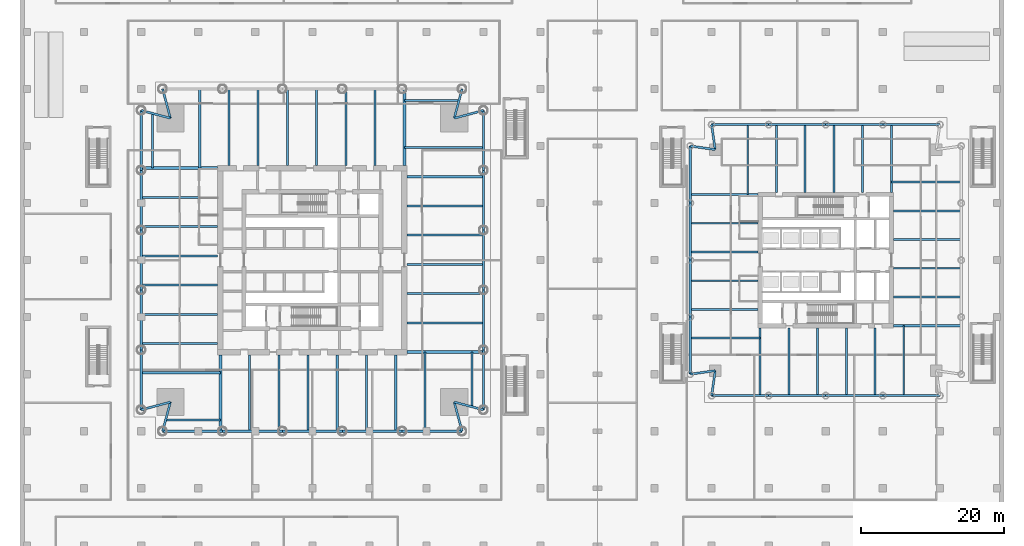
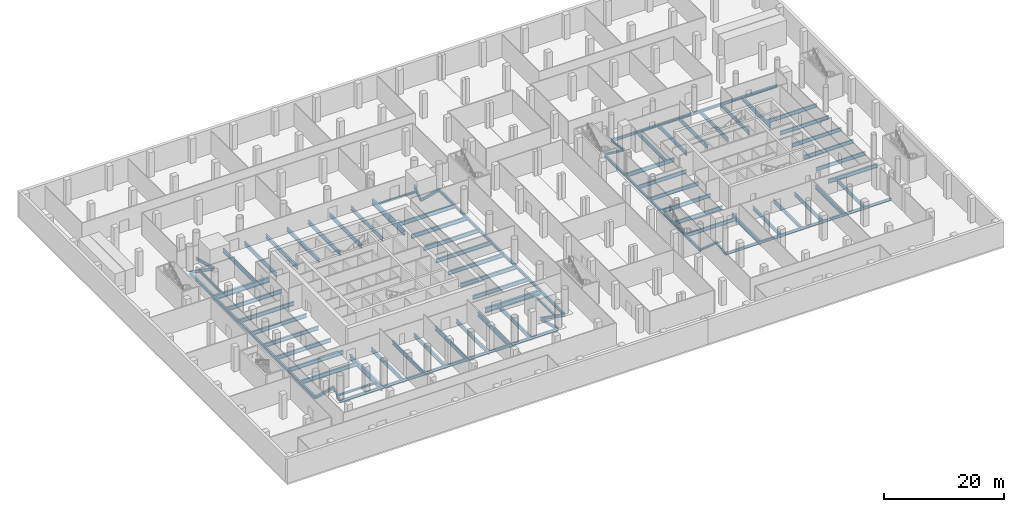
# One storey, part 5 of 22: 99 beams.
"""IFC4 building model written with IfcOpenShell, lengths in metres."""

from ifc_helpers import new_model, si_unit, direction, frame, origin, origin_2d, place, context, subcontext, project, spatial, i_section, extrude, material, material_profile, profile_set, type_object, element, save


model = new_model("IFC4")

# Units and contexts
model_context = context("Model", 3, precision=1e-05, world=origin(), true_north=direction((0.0, 1.0)))
body_context = subcontext(model_context, "Body", "Model", "MODEL_VIEW")
ifc_project = project(units=[si_unit("LENGTHUNIT", "METRE"), si_unit("AREAUNIT", "SQUARE_METRE"), si_unit("VOLUMEUNIT", "CUBIC_METRE"), si_unit("PLANEANGLEUNIT", "RADIAN"), si_unit("MASSUNIT", "GRAM", prefix="KILO")], contexts=[model_context])

# Site, building, storey
site_placement = place(None, origin())
site = spatial("IfcSite", under=ifc_project, at=site_placement, CompositionType="ELEMENT")
building_placement = place(site_placement, origin())
building = spatial("IfcBuilding", under=site, at=building_placement, Name="Ostroluk Exchange", CompositionType="ELEMENT")
storey_placement = place(building_placement, frame((0.0, 0.0, -5.0)))
storey = spatial("IfcBuildingStorey", under=building, at=storey_placement, Name="B1", CompositionType="ELEMENT", Elevation=-5.0)

# Beams
ifc_material_1 = material(Name="Steel S355", Category="steel")
ifc_material_profile_1 = material_profile(ifc_material_1, i_section(OverallWidth=0.300048828125, OverallDepth=0.39990234375, WebThickness=0.013427734375, FlangeThickness=0.02392578125, FilletRadius=0.027099609375, at=origin_2d()), Name="HEB 400")
ifc_profile_set_1 = profile_set([ifc_material_profile_1], Name="Steel S355")
beam_type_1 = type_object("IfcBeamType", Name="Corner edge beam HEB 400", PredefinedType="SPANDREL", material=ifc_profile_set_1)
for number, where, z_axis, x_axis, name in (
    (1, (101.5, 61.5, -0.5), (-0.141421356237, 0.989949493661, 0.0), (-0.989949493661, -0.141421356237, 0.0), "T2 north corner edge beam a"),
    (2, (101.5, 61.5, -0.5), (-0.989949493661, 0.141421356237, 0.0), (-0.141421356237, -0.989949493661, 0.0), "T2 north corner edge beam b"),
    (3, (101.5, 30.5, -0.5), (-0.989949493661, -0.141421356237, 0.0), (0.141421356237, -0.989949493661, 0.0), "T2 west corner edge beam a"),
    (4, (101.5, 30.5, -0.5), (-0.141421356237, -0.989949493661, 0.0), (0.989949493661, -0.141421356237, 0.0), "T2 west corner edge beam b"),
):
    element("IfcBeam", number, at=place(storey_placement, frame(where, z_axis=z_axis, x_axis=x_axis)), inside=storey, type_object=beam_type_1, Name=name, PredefinedType="SPANDREL", context=body_context, shape_type="SweptSolid", body=[
        extrude(i_section(OverallWidth=0.300048828125, OverallDepth=0.39990234375, WebThickness=0.013427734375, FlangeThickness=0.02392578125, FilletRadius=0.027099609375, at=origin_2d()), origin(), (0.0, 0.0, 1.0), 3.53564453125),
    ])
ifc_material_2 = material(Name="Steel S355", Category="steel")
ifc_material_profile_2 = material_profile(ifc_material_2, i_section(OverallWidth=0.300048828125, OverallDepth=0.550048828125, WebThickness=0.014892578125, FlangeThickness=0.029052734375, FilletRadius=0.027099609375, at=origin_2d()), Name="HEB 550")
ifc_profile_set_2 = profile_set([ifc_material_profile_2], Name="Steel S355")
beam_type_2 = type_object("IfcBeamType", Name="Corner edge beam HEB 550", PredefinedType="SPANDREL", material=ifc_profile_set_2)
for number, where, z_axis, x_axis, name in (
    (5, (64.89990234375, 65.89990234375, -0.574951171875), (0.965838624319, 0.259144268261, 0.0), (-0.259144268261, 0.965838624319, 0.0), "T1 east corner edge beam a"),
    (6, (64.89990234375, 65.89990234375, -0.574951171875), (0.259144268261, 0.965838624319, 0.0), (-0.965838624319, 0.259144268261, 0.0), "T1 east corner edge beam b"),
    (7, (25.10009765625, 65.89990234375, -0.574951171875), (-0.259144268261, 0.965838624319, 0.0), (-0.965838624319, -0.259144268261, 0.0), "T1 north corner edge beam a"),
    (8, (25.10009765625, 65.89990234375, -0.574951171875), (-0.965838624319, 0.259144268261, 0.0), (-0.259144268261, -0.965838624319, 0.0), "T1 north corner edge beam b"),
    (9, (25.10009765625, 26.10009765625, -0.574951171875), (-0.965838624319, -0.259144268261, 0.0), (0.259144268261, -0.965838624319, 0.0), "T1 west corner edge beam a"),
    (10, (25.10009765625, 26.10009765625, -0.574951171875), (-0.259144268261, -0.965838624319, 0.0), (0.965838624319, -0.259144268261, 0.0), "T1 west corner edge beam b"),
    (11, (64.89990234375, 26.10009765625, -0.574951171875), (0.259144268261, -0.965838624319, 0.0), (0.965838624319, 0.259144268261, 0.0), "T1 south corner edge beam a"),
    (12, (64.89990234375, 26.10009765625, -0.574951171875), (0.965838624319, -0.259144268261, 0.0), (0.259144268261, 0.965838624319, 0.0), "T1 south corner edge beam b"),
):
    element("IfcBeam", number, at=place(storey_placement, frame(where, z_axis=z_axis, x_axis=x_axis)), inside=storey, type_object=beam_type_2, Name=name, PredefinedType="SPANDREL", context=body_context, shape_type="SweptSolid", body=[
        extrude(i_section(OverallWidth=0.300048828125, OverallDepth=0.550048828125, WebThickness=0.014892578125, FlangeThickness=0.029052734375, FilletRadius=0.027099609375, at=origin_2d()), origin(), (0.0, 0.0, 1.0), 4.2451171875),
    ])
ifc_material_3 = material(Name="Steel S355", Category="steel")
ifc_material_profile_3 = material_profile(ifc_material_3, i_section(OverallWidth=0.300048828125, OverallDepth=0.39990234375, WebThickness=0.013427734375, FlangeThickness=0.02392578125, FilletRadius=0.027099609375, at=origin_2d()), Name="HEB 400")
ifc_profile_set_3 = profile_set([ifc_material_profile_3], Name="Steel S355")
beam_type_3 = type_object("IfcBeamType", Name="Floor beam HEB 400", PredefinedType="BEAM", material=ifc_profile_set_3)
for number, where, z_axis, x_axis, name in (
    (13, (57.89990234375, 68.39990234375, -0.5), (1.0, 0.0, 0.0), (0.0, 1.0, 0.0), "T1 east floor beam 8"),
    (14, (22.60009765625, 58.89990234375, -0.5), (0.0, 1.0, 0.0), (-1.0, 0.0, 0.0), "T1 north floor beam 8"),
    (15, (32.10009765625, 23.60009765625, -0.5), (-1.0, 0.0, 0.0), (0.0, -1.0, 0.0), "T1 west floor beam 8"),
    (16, (67.39990234375, 33.10009765625, -0.5), (0.0, -1.0, 0.0), (1.0, 0.0, 0.0), "T1 south floor beam 8"),
):
    element("IfcBeam", number, at=place(storey_placement, frame(where, z_axis=z_axis, x_axis=x_axis)), inside=storey, type_object=beam_type_3, Name=name, PredefinedType="BEAM", context=body_context, shape_type="SweptSolid", body=[
        extrude(i_section(OverallWidth=0.300048828125, OverallDepth=0.39990234375, WebThickness=0.013427734375, FlangeThickness=0.02392578125, FilletRadius=0.027099609375, at=origin_2d()), origin(), (0.0, 0.0, 1.0), 7.6708984375),
    ])
ifc_material_4 = material(Name="Steel S355", Category="steel")
ifc_material_profile_4 = material_profile(ifc_material_4, i_section(OverallWidth=0.300048828125, OverallDepth=0.800048828125, WebThickness=0.017578125, FlangeThickness=0.032958984375, FilletRadius=0.030029296875, at=origin_2d()), Name="HEB 800")
ifc_profile_set_4 = profile_set([ifc_material_profile_4], Name="Steel S355")
beam_type_4 = type_object("IfcBeamType", Name="Floor beam HEB 800", PredefinedType="BEAM", material=ifc_profile_set_4)
for number, where, z_axis, x_axis, name in (
    (17, (58.300048828125, 37.199951171875, -0.699951171875), (1.0, 0.0, 0.0), (0.0, 1.0, 0.0), "T1 east floor beam 1"),
    (18, (58.300048828125, 41.300048828125, -0.699951171875), (1.0, 0.0, 0.0), (0.0, 1.0, 0.0), "T1 east floor beam 2"),
    (19, (58.300048828125, 45.39990234375, -0.699951171875), (1.0, 0.0, 0.0), (0.0, 1.0, 0.0), "T1 east floor beam 3"),
    (20, (58.300048828125, 49.5, -0.699951171875), (1.0, 0.0, 0.0), (0.0, 1.0, 0.0), "T1 east floor beam 4"),
    (21, (58.300048828125, 53.60009765625, -0.699951171875), (1.0, 0.0, 0.0), (0.0, 1.0, 0.0), "T1 east floor beam 5"),
    (22, (53.800048828125, 59.300048828125, -0.699951171875), (0.0, 1.0, 0.0), (-1.0, 0.0, 0.0), "T1 north floor beam 1"),
    (23, (49.699951171875, 59.300048828125, -0.699951171875), (0.0, 1.0, 0.0), (-1.0, 0.0, 0.0), "T1 north floor beam 2"),
    (24, (45.60009765625, 59.300048828125, -0.699951171875), (0.0, 1.0, 0.0), (-1.0, 0.0, 0.0), "T1 north floor beam 3"),
    (25, (41.5, 59.300048828125, -0.699951171875), (0.0, 1.0, 0.0), (-1.0, 0.0, 0.0), "T1 north floor beam 4"),
    (26, (37.39990234375, 59.300048828125, -0.699951171875), (0.0, 1.0, 0.0), (-1.0, 0.0, 0.0), "T1 north floor beam 5"),
    (27, (31.699951171875, 54.800048828125, -0.699951171875), (-1.0, 0.0, 0.0), (0.0, -1.0, 0.0), "T1 west floor beam 1"),
    (28, (31.699951171875, 50.699951171875, -0.699951171875), (-1.0, 0.0, 0.0), (0.0, -1.0, 0.0), "T1 west floor beam 2"),
    (29, (31.699951171875, 46.60009765625, -0.699951171875), (-1.0, 0.0, 0.0), (0.0, -1.0, 0.0), "T1 west floor beam 3"),
    (30, (31.699951171875, 42.5, -0.699951171875), (-1.0, 0.0, 0.0), (0.0, -1.0, 0.0), "T1 west floor beam 4"),
    (31, (31.699951171875, 38.39990234375, -0.699951171875), (-1.0, 0.0, 0.0), (0.0, -1.0, 0.0), "T1 west floor beam 5"),
    (32, (36.199951171875, 32.699951171875, -0.699951171875), (0.0, -1.0, 0.0), (1.0, 0.0, 0.0), "T1 south floor beam 1"),
    (33, (40.300048828125, 32.699951171875, -0.699951171875), (0.0, -1.0, 0.0), (1.0, 0.0, 0.0), "T1 south floor beam 2"),
    (34, (44.39990234375, 32.699951171875, -0.699951171875), (0.0, -1.0, 0.0), (1.0, 0.0, 0.0), "T1 south floor beam 3"),
    (35, (48.5, 32.699951171875, -0.699951171875), (0.0, -1.0, 0.0), (1.0, 0.0, 0.0), "T1 south floor beam 4"),
    (36, (52.60009765625, 32.699951171875, -0.699951171875), (0.0, -1.0, 0.0), (1.0, 0.0, 0.0), "T1 south floor beam 5"),
):
    element("IfcBeam", number, at=place(storey_placement, frame(where, z_axis=z_axis, x_axis=x_axis)), inside=storey, type_object=beam_type_4, Name=name, PredefinedType="BEAM", context=body_context, shape_type="SweptSolid", body=[
        extrude(i_section(OverallWidth=0.300048828125, OverallDepth=0.800048828125, WebThickness=0.017578125, FlangeThickness=0.032958984375, FilletRadius=0.030029296875, at=origin_2d()), origin(), (0.0, 0.0, 1.0), 10.699951171875),
    ])
ifc_material_5 = material(Name="Steel S355", Category="steel")
ifc_material_profile_5 = material_profile(ifc_material_5, i_section(OverallWidth=0.302978515625, OverallDepth=0.81396484375, WebThickness=0.02099609375, FlangeThickness=0.0400390625, FilletRadius=0.030029296875, at=origin_2d()), Name="HEM 800")
ifc_profile_set_5 = profile_set([ifc_material_profile_5], Name="Steel S355")
beam_type_5 = type_object("IfcBeamType", Name="Floor beam HEM 800", PredefinedType="BEAM", material=ifc_profile_set_5)
beam_1_placement = place(storey_placement, frame((58.300048828125, 57.699951171875, -0.70703125), z_axis=(1.0, 0.0, 0.0), x_axis=(0.0, 1.0, 0.0)))
element("IfcBeam", 37, at=beam_1_placement, inside=storey, type_object=beam_type_5, Name="T1 east floor beam 6", PredefinedType="BEAM", context=body_context, shape_type="SweptSolid", body=[
    extrude(i_section(OverallWidth=0.302978515625, OverallDepth=0.81396484375, WebThickness=0.02099609375, FlangeThickness=0.0400390625, FilletRadius=0.030029296875, at=origin_2d()), origin(), (0.0, 0.0, 1.0), 10.699951171875),
])
beam_2_placement = place(storey_placement, frame((57.89990234375, 61.800048828125, -0.70703125), z_axis=(1.0, 0.0, 0.0), x_axis=(0.0, 1.0, 0.0)))
element("IfcBeam", 38, at=beam_2_placement, inside=storey, type_object=beam_type_5, Name="T1 east floor beam 7", PredefinedType="BEAM", context=body_context, shape_type="SweptSolid", body=[
    extrude(i_section(OverallWidth=0.302978515625, OverallDepth=0.81396484375, WebThickness=0.02099609375, FlangeThickness=0.0400390625, FilletRadius=0.030029296875, at=origin_2d()), origin(), (0.0, 0.0, 1.0), 11.10009765625),
])
beam_3_placement = place(storey_placement, frame((33.300048828125, 59.300048828125, -0.70703125), z_axis=(0.0, 1.0, 0.0), x_axis=(-1.0, 0.0, 0.0)))
element("IfcBeam", 39, at=beam_3_placement, inside=storey, type_object=beam_type_5, Name="T1 north floor beam 6", PredefinedType="BEAM", context=body_context, shape_type="SweptSolid", body=[
    extrude(i_section(OverallWidth=0.302978515625, OverallDepth=0.81396484375, WebThickness=0.02099609375, FlangeThickness=0.0400390625, FilletRadius=0.030029296875, at=origin_2d()), origin(), (0.0, 0.0, 1.0), 10.699951171875),
])
beam_4_placement = place(storey_placement, frame((29.199951171875, 58.89990234375, -0.70703125), z_axis=(0.0, 1.0, 0.0), x_axis=(-1.0, 0.0, 0.0)))
element("IfcBeam", 40, at=beam_4_placement, inside=storey, type_object=beam_type_5, Name="T1 north floor beam 7", PredefinedType="BEAM", context=body_context, shape_type="SweptSolid", body=[
    extrude(i_section(OverallWidth=0.302978515625, OverallDepth=0.81396484375, WebThickness=0.02099609375, FlangeThickness=0.0400390625, FilletRadius=0.030029296875, at=origin_2d()), origin(), (0.0, 0.0, 1.0), 11.10009765625),
])
beam_5_placement = place(storey_placement, frame((31.699951171875, 34.300048828125, -0.70703125), z_axis=(-1.0, 0.0, 0.0), x_axis=(0.0, -1.0, 0.0)))
element("IfcBeam", 41, at=beam_5_placement, inside=storey, type_object=beam_type_5, Name="T1 west floor beam 6", PredefinedType="BEAM", context=body_context, shape_type="SweptSolid", body=[
    extrude(i_section(OverallWidth=0.302978515625, OverallDepth=0.81396484375, WebThickness=0.02099609375, FlangeThickness=0.0400390625, FilletRadius=0.030029296875, at=origin_2d()), origin(), (0.0, 0.0, 1.0), 10.699951171875),
])
beam_6_placement = place(storey_placement, frame((32.10009765625, 30.199951171875, -0.70703125), z_axis=(-1.0, 0.0, 0.0), x_axis=(0.0, -1.0, 0.0)))
element("IfcBeam", 42, at=beam_6_placement, inside=storey, type_object=beam_type_5, Name="T1 west floor beam 7", PredefinedType="BEAM", context=body_context, shape_type="SweptSolid", body=[
    extrude(i_section(OverallWidth=0.302978515625, OverallDepth=0.81396484375, WebThickness=0.02099609375, FlangeThickness=0.0400390625, FilletRadius=0.030029296875, at=origin_2d()), origin(), (0.0, 0.0, 1.0), 11.10009765625),
])
beam_7_placement = place(storey_placement, frame((56.699951171875, 32.699951171875, -0.70703125), z_axis=(0.0, -1.0, 0.0), x_axis=(1.0, 0.0, 0.0)))
element("IfcBeam", 43, at=beam_7_placement, inside=storey, type_object=beam_type_5, Name="T1 south floor beam 6", PredefinedType="BEAM", context=body_context, shape_type="SweptSolid", body=[
    extrude(i_section(OverallWidth=0.302978515625, OverallDepth=0.81396484375, WebThickness=0.02099609375, FlangeThickness=0.0400390625, FilletRadius=0.030029296875, at=origin_2d()), origin(), (0.0, 0.0, 1.0), 10.699951171875),
])
beam_8_placement = place(storey_placement, frame((60.800048828125, 33.10009765625, -0.70703125), z_axis=(0.0, -1.0, 0.0), x_axis=(1.0, 0.0, 0.0)))
element("IfcBeam", 44, at=beam_8_placement, inside=storey, type_object=beam_type_5, Name="T1 south floor beam 7", PredefinedType="BEAM", context=body_context, shape_type="SweptSolid", body=[
    extrude(i_section(OverallWidth=0.302978515625, OverallDepth=0.81396484375, WebThickness=0.02099609375, FlangeThickness=0.0400390625, FilletRadius=0.030029296875, at=origin_2d()), origin(), (0.0, 0.0, 1.0), 11.10009765625),
])
ifc_material_6 = material(Name="Steel S355", Category="steel")
ifc_material_profile_6 = material_profile(ifc_material_6, i_section(OverallWidth=0.264892578125, OverallDepth=0.7529296875, WebThickness=0.01318359375, FlangeThickness=0.01708984375, FilletRadius=0.01708984375, at=origin_2d()), Name="IPE 750x147")
ifc_profile_set_6 = profile_set([ifc_material_profile_6], Name="Steel S355")
beam_type_6 = type_object("IfcBeamType", Name="Floor beam IPE 750x147", PredefinedType="BEAM", material=ifc_profile_set_6)
for number, where, z_axis, x_axis, name in (
    (45, (126.5, 40.82861328125, -0.676513671875), (1.0, 0.0, 0.0), (0.0, 1.0, 0.0), "T2 east floor beam 1"),
    (46, (126.5, 44.857177734375, -0.676513671875), (1.0, 0.0, 0.0), (0.0, 1.0, 0.0), "T2 east floor beam 2"),
    (47, (126.5, 48.8857421875, -0.676513671875), (1.0, 0.0, 0.0), (0.0, 1.0, 0.0), "T2 east floor beam 3"),
    (48, (126.5, 52.914306640625, -0.676513671875), (1.0, 0.0, 0.0), (0.0, 1.0, 0.0), "T2 east floor beam 4"),
):
    element("IfcBeam", number, at=place(storey_placement, frame(where, z_axis=z_axis, x_axis=x_axis)), inside=storey, type_object=beam_type_6, Name=name, PredefinedType="BEAM", context=body_context, shape_type="SweptSolid", body=[
        extrude(i_section(OverallWidth=0.264892578125, OverallDepth=0.7529296875, WebThickness=0.01318359375, FlangeThickness=0.01708984375, FilletRadius=0.01708984375, at=origin_2d()), origin(), (0.0, 0.0, 1.0), 9.5),
    ])
beam_9_placement = place(storey_placement, frame((126.199951171875, 56.94287109375, -0.676513671875), z_axis=(1.0, 0.0, 0.0), x_axis=(0.0, 1.0, 0.0)))
element("IfcBeam", 49, at=beam_9_placement, inside=storey, type_object=beam_type_6, Name="T2 east floor beam 5", PredefinedType="BEAM", context=body_context, shape_type="SweptSolid", body=[
    extrude(i_section(OverallWidth=0.264892578125, OverallDepth=0.7529296875, WebThickness=0.01318359375, FlangeThickness=0.01708984375, FilletRadius=0.01708984375, at=origin_2d()), origin(), (0.0, 0.0, 1.0), 9.800048828125),
])
for number, where, z_axis, x_axis, name in (
    (50, (122.17138671875, 55.5, -0.676513671875), (0.0, 1.0, 0.0), (-1.0, 0.0, 0.0), "T2 north floor beam 1"),
    (51, (118.142822265625, 55.5, -0.676513671875), (0.0, 1.0, 0.0), (-1.0, 0.0, 0.0), "T2 north floor beam 2"),
    (52, (114.1142578125, 55.5, -0.676513671875), (0.0, 1.0, 0.0), (-1.0, 0.0, 0.0), "T2 north floor beam 3"),
    (53, (110.085693359375, 55.5, -0.676513671875), (0.0, 1.0, 0.0), (-1.0, 0.0, 0.0), "T2 north floor beam 4"),
):
    element("IfcBeam", number, at=place(storey_placement, frame(where, z_axis=z_axis, x_axis=x_axis)), inside=storey, type_object=beam_type_6, Name=name, PredefinedType="BEAM", context=body_context, shape_type="SweptSolid", body=[
        extrude(i_section(OverallWidth=0.264892578125, OverallDepth=0.7529296875, WebThickness=0.01318359375, FlangeThickness=0.01708984375, FilletRadius=0.01708984375, at=origin_2d()), origin(), (0.0, 0.0, 1.0), 9.5),
    ])
beam_10_placement = place(storey_placement, frame((106.05712890625, 55.199951171875, -0.676513671875), z_axis=(0.0, 1.0, 0.0), x_axis=(-1.0, 0.0, 0.0)))
element("IfcBeam", 54, at=beam_10_placement, inside=storey, type_object=beam_type_6, Name="T2 north floor beam 5", PredefinedType="BEAM", context=body_context, shape_type="SweptSolid", body=[
    extrude(i_section(OverallWidth=0.264892578125, OverallDepth=0.7529296875, WebThickness=0.01318359375, FlangeThickness=0.01708984375, FilletRadius=0.01708984375, at=origin_2d()), origin(), (0.0, 0.0, 1.0), 9.800048828125),
])
for number, where, z_axis, x_axis, name in (
    (55, (107.5, 51.17138671875, -0.676513671875), (-1.0, 0.0, 0.0), (0.0, -1.0, 0.0), "T2 west floor beam 1"),
    (56, (107.5, 47.142822265625, -0.676513671875), (-1.0, 0.0, 0.0), (0.0, -1.0, 0.0), "T2 west floor beam 2"),
    (57, (107.5, 43.1142578125, -0.676513671875), (-1.0, 0.0, 0.0), (0.0, -1.0, 0.0), "T2 west floor beam 3"),
    (58, (107.5, 39.085693359375, -0.676513671875), (-1.0, 0.0, 0.0), (0.0, -1.0, 0.0), "T2 west floor beam 4"),
):
    element("IfcBeam", number, at=place(storey_placement, frame(where, z_axis=z_axis, x_axis=x_axis)), inside=storey, type_object=beam_type_6, Name=name, PredefinedType="BEAM", context=body_context, shape_type="SweptSolid", body=[
        extrude(i_section(OverallWidth=0.264892578125, OverallDepth=0.7529296875, WebThickness=0.01318359375, FlangeThickness=0.01708984375, FilletRadius=0.01708984375, at=origin_2d()), origin(), (0.0, 0.0, 1.0), 9.5),
    ])
beam_11_placement = place(storey_placement, frame((107.800048828125, 35.05712890625, -0.676513671875), z_axis=(-1.0, 0.0, 0.0), x_axis=(0.0, -1.0, 0.0)))
element("IfcBeam", 59, at=beam_11_placement, inside=storey, type_object=beam_type_6, Name="T2 west floor beam 5", PredefinedType="BEAM", context=body_context, shape_type="SweptSolid", body=[
    extrude(i_section(OverallWidth=0.264892578125, OverallDepth=0.7529296875, WebThickness=0.01318359375, FlangeThickness=0.01708984375, FilletRadius=0.01708984375, at=origin_2d()), origin(), (0.0, 0.0, 1.0), 9.800048828125),
])
for number, where, z_axis, x_axis, name in (
    (60, (111.82861328125, 36.5, -0.676513671875), (0.0, -1.0, 0.0), (1.0, 0.0, 0.0), "T2 south floor beam 1"),
    (61, (115.857177734375, 36.5, -0.676513671875), (0.0, -1.0, 0.0), (1.0, 0.0, 0.0), "T2 south floor beam 2"),
    (62, (119.8857421875, 36.5, -0.676513671875), (0.0, -1.0, 0.0), (1.0, 0.0, 0.0), "T2 south floor beam 3"),
    (63, (123.914306640625, 36.5, -0.676513671875), (0.0, -1.0, 0.0), (1.0, 0.0, 0.0), "T2 south floor beam 4"),
):
    element("IfcBeam", number, at=place(storey_placement, frame(where, z_axis=z_axis, x_axis=x_axis)), inside=storey, type_object=beam_type_6, Name=name, PredefinedType="BEAM", context=body_context, shape_type="SweptSolid", body=[
        extrude(i_section(OverallWidth=0.264892578125, OverallDepth=0.7529296875, WebThickness=0.01318359375, FlangeThickness=0.01708984375, FilletRadius=0.01708984375, at=origin_2d()), origin(), (0.0, 0.0, 1.0), 9.5),
    ])
beam_12_placement = place(storey_placement, frame((127.94287109375, 36.800048828125, -0.676513671875), z_axis=(0.0, -1.0, 0.0), x_axis=(1.0, 0.0, 0.0)))
element("IfcBeam", 64, at=beam_12_placement, inside=storey, type_object=beam_type_6, Name="T2 south floor beam 5", PredefinedType="BEAM", context=body_context, shape_type="SweptSolid", body=[
    extrude(i_section(OverallWidth=0.264892578125, OverallDepth=0.7529296875, WebThickness=0.01318359375, FlangeThickness=0.01708984375, FilletRadius=0.01708984375, at=origin_2d()), origin(), (0.0, 0.0, 1.0), 9.800048828125),
])
ifc_material_7 = material(Name="Steel S355", Category="steel")
ifc_material_profile_7 = material_profile(ifc_material_7, i_section(OverallWidth=0.300048828125, OverallDepth=0.800048828125, WebThickness=0.017578125, FlangeThickness=0.032958984375, FilletRadius=0.030029296875, at=origin_2d()), Name="HEB 800")
ifc_profile_set_7 = profile_set([ifc_material_profile_7], Name="Steel S355")
beam_type_7 = type_object("IfcBeamType", Name="Girder HEB 800", PredefinedType="BEAM", material=ifc_profile_set_7)
for number, where, z_axis, x_axis, name in (
    (65, (126.199951171875, 55.5, -0.699951171875), (0.0, 1.0, 0.0), (-1.0, 0.0, 0.0), "T2 east girder"),
    (66, (107.5, 55.199951171875, -0.699951171875), (-1.0, 0.0, 0.0), (0.0, -1.0, 0.0), "T2 north girder"),
    (67, (107.800048828125, 36.5, -0.699951171875), (0.0, -1.0, 0.0), (1.0, 0.0, 0.0), "T2 west girder"),
    (68, (126.5, 36.800048828125, -0.699951171875), (1.0, 0.0, 0.0), (0.0, 1.0, 0.0), "T2 south girder"),
):
    element("IfcBeam", number, at=place(storey_placement, frame(where, z_axis=z_axis, x_axis=x_axis)), inside=storey, type_object=beam_type_7, Name=name, PredefinedType="BEAM", context=body_context, shape_type="SweptSolid", body=[
        extrude(i_section(OverallWidth=0.300048828125, OverallDepth=0.800048828125, WebThickness=0.017578125, FlangeThickness=0.032958984375, FilletRadius=0.030029296875, at=origin_2d()), origin(), (0.0, 0.0, 1.0), 9.5),
    ])
ifc_material_8 = material(Name="Steel S355", Category="steel")
ifc_material_profile_8 = material_profile(ifc_material_8, i_section(OverallWidth=0.402099609375, OverallDepth=1.011962890625, WebThickness=0.035888671875, FlangeThickness=0.055908203125, FilletRadius=0.030029296875, at=origin_2d()), Name="HL 1000x443")
ifc_profile_set_8 = profile_set([ifc_material_profile_8], Name="Steel S355")
beam_type_8 = type_object("IfcBeamType", Name="Girder HL 1000x443", PredefinedType="BEAM", material=ifc_profile_set_8)
for number, where, z_axis, x_axis, name in (
    (69, (57.89990234375, 59.300048828125, -0.805908203125), (0.0, 1.0, 0.0), (-1.0, 0.0, 0.0), "T1 east girder"),
    (70, (31.699951171875, 58.89990234375, -0.805908203125), (-1.0, 0.0, 0.0), (0.0, -1.0, 0.0), "T1 north girder"),
    (71, (32.10009765625, 32.699951171875, -0.805908203125), (0.0, -1.0, 0.0), (1.0, 0.0, 0.0), "T1 west girder"),
    (72, (58.300048828125, 33.10009765625, -0.805908203125), (1.0, 0.0, 0.0), (0.0, 1.0, 0.0), "T1 south girder"),
):
    element("IfcBeam", number, at=place(storey_placement, frame(where, z_axis=z_axis, x_axis=x_axis)), inside=storey, type_object=beam_type_8, Name=name, PredefinedType="BEAM", context=body_context, shape_type="SweptSolid", body=[
        extrude(i_section(OverallWidth=0.402099609375, OverallDepth=1.011962890625, WebThickness=0.035888671875, FlangeThickness=0.055908203125, FilletRadius=0.030029296875, at=origin_2d()), origin(), (0.0, 0.0, 1.0), 10.699951171875),
    ])
ifc_material_9 = material(Name="Steel S355", Category="steel")
ifc_material_profile_9 = material_profile(ifc_material_9, i_section(OverallWidth=0.300048828125, OverallDepth=0.550048828125, WebThickness=0.014892578125, FlangeThickness=0.029052734375, FilletRadius=0.027099609375, at=origin_2d()), Name="HEB 550")
ifc_profile_set_9 = profile_set([ifc_material_profile_9], Name="Steel S355")
beam_type_9 = type_object("IfcBeamType", Name="Moment-connected edge beam HEB 550", PredefinedType="SPANDREL", material=ifc_profile_set_9)
for number, where, z_axis, x_axis, name in (
    (73, (133.0, 65.0, -0.574951171875), (-1.0, 0.0, 0.0), (0.0, -1.0, 0.0), "T2 north edge beam 1"),
    (74, (125.0, 65.0, -0.574951171875), (-1.0, 0.0, 0.0), (0.0, -1.0, 0.0), "T2 north edge beam 2"),
    (75, (117.0, 65.0, -0.574951171875), (-1.0, 0.0, 0.0), (0.0, -1.0, 0.0), "T2 north edge beam 3"),
    (76, (109.0, 65.0, -0.574951171875), (-1.0, 0.0, 0.0), (0.0, -1.0, 0.0), "T2 north edge beam 4"),
    (77, (98.0, 62.0, -0.574951171875), (0.0, -1.0, 0.0), (1.0, 0.0, 0.0), "T2 west edge beam 1"),
    (78, (98.0, 54.0, -0.574951171875), (0.0, -1.0, 0.0), (1.0, 0.0, 0.0), "T2 west edge beam 2"),
    (79, (98.0, 46.0, -0.574951171875), (0.0, -1.0, 0.0), (1.0, 0.0, 0.0), "T2 west edge beam 3"),
    (80, (98.0, 38.0, -0.574951171875), (0.0, -1.0, 0.0), (1.0, 0.0, 0.0), "T2 west edge beam 4"),
    (81, (101.0, 27.0, -0.574951171875), (1.0, 0.0, 0.0), (0.0, 1.0, 0.0), "T2 south edge beam 1"),
    (82, (109.0, 27.0, -0.574951171875), (1.0, 0.0, 0.0), (0.0, 1.0, 0.0), "T2 south edge beam 2"),
    (83, (117.0, 27.0, -0.574951171875), (1.0, 0.0, 0.0), (0.0, 1.0, 0.0), "T2 south edge beam 3"),
    (84, (125.0, 27.0, -0.574951171875), (1.0, 0.0, 0.0), (0.0, 1.0, 0.0), "T2 south edge beam 4"),
):
    element("IfcBeam", number, at=place(storey_placement, frame(where, z_axis=z_axis, x_axis=x_axis)), inside=storey, type_object=beam_type_9, Name=name, PredefinedType="SPANDREL", context=body_context, shape_type="SweptSolid", body=[
        extrude(i_section(OverallWidth=0.300048828125, OverallDepth=0.550048828125, WebThickness=0.014892578125, FlangeThickness=0.029052734375, FilletRadius=0.027099609375, at=origin_2d()), origin(), (0.0, 0.0, 1.0), 8.0),
    ])
ifc_material_10 = material(Name="Steel S355", Category="steel")
ifc_material_profile_10 = material_profile(ifc_material_10, i_section(OverallWidth=0.300048828125, OverallDepth=0.60009765625, WebThickness=0.015380859375, FlangeThickness=0.030029296875, FilletRadius=0.027099609375, at=origin_2d()), Name="HEB 600")
ifc_profile_set_10 = profile_set([ifc_material_profile_10], Name="Steel S355")
beam_type_10 = type_object("IfcBeamType", Name="Moment-connected edge beam HEB 600", PredefinedType="SPANDREL", material=ifc_profile_set_10)
beam_13_placement = place(storey_placement, frame((69.0, 25.0, -0.60009765625), z_axis=(0.0, 1.0, 0.0), x_axis=(-1.0, 0.0, 0.0)))
element("IfcBeam", 85, at=beam_13_placement, inside=storey, type_object=beam_type_10, Name="T1 east edge beam 1", PredefinedType="SPANDREL", context=body_context, shape_type="SweptSolid", body=[
    extrude(i_section(OverallWidth=0.300048828125, OverallDepth=0.60009765625, WebThickness=0.015380859375, FlangeThickness=0.030029296875, FilletRadius=0.027099609375, at=origin_2d()), origin(), (0.0, 0.0, 1.0), 8.39990234375),
])
beam_14_placement = place(storey_placement, frame((69.0, 33.39990234375, -0.60009765625), z_axis=(0.0, 1.0, 0.0), x_axis=(-1.0, 0.0, 0.0)))
element("IfcBeam", 86, at=beam_14_placement, inside=storey, type_object=beam_type_10, Name="T1 east edge beam 2", PredefinedType="SPANDREL", context=body_context, shape_type="SweptSolid", body=[
    extrude(i_section(OverallWidth=0.300048828125, OverallDepth=0.60009765625, WebThickness=0.015380859375, FlangeThickness=0.030029296875, FilletRadius=0.027099609375, at=origin_2d()), origin(), (0.0, 0.0, 1.0), 8.400146484375),
])
beam_15_placement = place(storey_placement, frame((69.0, 41.800048828125, -0.60009765625), z_axis=(0.0, 1.0, 0.0), x_axis=(-1.0, 0.0, 0.0)))
element("IfcBeam", 87, at=beam_15_placement, inside=storey, type_object=beam_type_10, Name="T1 east edge beam 3", PredefinedType="SPANDREL", context=body_context, shape_type="SweptSolid", body=[
    extrude(i_section(OverallWidth=0.300048828125, OverallDepth=0.60009765625, WebThickness=0.015380859375, FlangeThickness=0.030029296875, FilletRadius=0.027099609375, at=origin_2d()), origin(), (0.0, 0.0, 1.0), 8.39990234375),
])
beam_16_placement = place(storey_placement, frame((69.0, 50.199951171875, -0.60009765625), z_axis=(0.0, 1.0, 0.0), x_axis=(-1.0, 0.0, 0.0)))
element("IfcBeam", 88, at=beam_16_placement, inside=storey, type_object=beam_type_10, Name="T1 east edge beam 4", PredefinedType="SPANDREL", context=body_context, shape_type="SweptSolid", body=[
    extrude(i_section(OverallWidth=0.300048828125, OverallDepth=0.60009765625, WebThickness=0.015380859375, FlangeThickness=0.030029296875, FilletRadius=0.027099609375, at=origin_2d()), origin(), (0.0, 0.0, 1.0), 8.400146484375),
])
for number, where, z_axis, x_axis, name in (
    (89, (69.0, 58.60009765625, -0.60009765625), (0.0, 1.0, 0.0), (-1.0, 0.0, 0.0), "T1 east edge beam 5"),
    (90, (21.0, 67.0, -0.60009765625), (0.0, -1.0, 0.0), (1.0, 0.0, 0.0), "T1 west edge beam 1"),
):
    element("IfcBeam", number, at=place(storey_placement, frame(where, z_axis=z_axis, x_axis=x_axis)), inside=storey, type_object=beam_type_10, Name=name, PredefinedType="SPANDREL", context=body_context, shape_type="SweptSolid", body=[
        extrude(i_section(OverallWidth=0.300048828125, OverallDepth=0.60009765625, WebThickness=0.015380859375, FlangeThickness=0.030029296875, FilletRadius=0.027099609375, at=origin_2d()), origin(), (0.0, 0.0, 1.0), 8.39990234375),
    ])
beam_17_placement = place(storey_placement, frame((21.0, 58.60009765625, -0.60009765625), z_axis=(0.0, -1.0, 0.0), x_axis=(1.0, 0.0, 0.0)))
element("IfcBeam", 91, at=beam_17_placement, inside=storey, type_object=beam_type_10, Name="T1 west edge beam 2", PredefinedType="SPANDREL", context=body_context, shape_type="SweptSolid", body=[
    extrude(i_section(OverallWidth=0.300048828125, OverallDepth=0.60009765625, WebThickness=0.015380859375, FlangeThickness=0.030029296875, FilletRadius=0.027099609375, at=origin_2d()), origin(), (0.0, 0.0, 1.0), 8.400146484375),
])
beam_18_placement = place(storey_placement, frame((21.0, 50.199951171875, -0.60009765625), z_axis=(0.0, -1.0, 0.0), x_axis=(1.0, 0.0, 0.0)))
element("IfcBeam", 92, at=beam_18_placement, inside=storey, type_object=beam_type_10, Name="T1 west edge beam 3", PredefinedType="SPANDREL", context=body_context, shape_type="SweptSolid", body=[
    extrude(i_section(OverallWidth=0.300048828125, OverallDepth=0.60009765625, WebThickness=0.015380859375, FlangeThickness=0.030029296875, FilletRadius=0.027099609375, at=origin_2d()), origin(), (0.0, 0.0, 1.0), 8.39990234375),
])
beam_19_placement = place(storey_placement, frame((21.0, 41.800048828125, -0.60009765625), z_axis=(0.0, -1.0, 0.0), x_axis=(1.0, 0.0, 0.0)))
element("IfcBeam", 93, at=beam_19_placement, inside=storey, type_object=beam_type_10, Name="T1 west edge beam 4", PredefinedType="SPANDREL", context=body_context, shape_type="SweptSolid", body=[
    extrude(i_section(OverallWidth=0.300048828125, OverallDepth=0.60009765625, WebThickness=0.015380859375, FlangeThickness=0.030029296875, FilletRadius=0.027099609375, at=origin_2d()), origin(), (0.0, 0.0, 1.0), 8.400146484375),
])
for number, where, z_axis, x_axis, name in (
    (94, (21.0, 33.39990234375, -0.60009765625), (0.0, -1.0, 0.0), (1.0, 0.0, 0.0), "T1 west edge beam 5"),
    (95, (24.0, 22.0, -0.60009765625), (1.0, 0.0, 0.0), (0.0, 1.0, 0.0), "T1 south edge beam 1"),
):
    element("IfcBeam", number, at=place(storey_placement, frame(where, z_axis=z_axis, x_axis=x_axis)), inside=storey, type_object=beam_type_10, Name=name, PredefinedType="SPANDREL", context=body_context, shape_type="SweptSolid", body=[
        extrude(i_section(OverallWidth=0.300048828125, OverallDepth=0.60009765625, WebThickness=0.015380859375, FlangeThickness=0.030029296875, FilletRadius=0.027099609375, at=origin_2d()), origin(), (0.0, 0.0, 1.0), 8.39990234375),
    ])
beam_20_placement = place(storey_placement, frame((32.39990234375, 22.0, -0.60009765625), z_axis=(1.0, 0.0, 0.0), x_axis=(0.0, 1.0, 0.0)))
element("IfcBeam", 96, at=beam_20_placement, inside=storey, type_object=beam_type_10, Name="T1 south edge beam 2", PredefinedType="SPANDREL", context=body_context, shape_type="SweptSolid", body=[
    extrude(i_section(OverallWidth=0.300048828125, OverallDepth=0.60009765625, WebThickness=0.015380859375, FlangeThickness=0.030029296875, FilletRadius=0.027099609375, at=origin_2d()), origin(), (0.0, 0.0, 1.0), 8.400146484375),
])
beam_21_placement = place(storey_placement, frame((40.800048828125, 22.0, -0.60009765625), z_axis=(1.0, 0.0, 0.0), x_axis=(0.0, 1.0, 0.0)))
element("IfcBeam", 97, at=beam_21_placement, inside=storey, type_object=beam_type_10, Name="T1 south edge beam 3", PredefinedType="SPANDREL", context=body_context, shape_type="SweptSolid", body=[
    extrude(i_section(OverallWidth=0.300048828125, OverallDepth=0.60009765625, WebThickness=0.015380859375, FlangeThickness=0.030029296875, FilletRadius=0.027099609375, at=origin_2d()), origin(), (0.0, 0.0, 1.0), 8.39990234375),
])
beam_22_placement = place(storey_placement, frame((49.199951171875, 22.0, -0.60009765625), z_axis=(1.0, 0.0, 0.0), x_axis=(0.0, 1.0, 0.0)))
element("IfcBeam", 98, at=beam_22_placement, inside=storey, type_object=beam_type_10, Name="T1 south edge beam 4", PredefinedType="SPANDREL", context=body_context, shape_type="SweptSolid", body=[
    extrude(i_section(OverallWidth=0.300048828125, OverallDepth=0.60009765625, WebThickness=0.015380859375, FlangeThickness=0.030029296875, FilletRadius=0.027099609375, at=origin_2d()), origin(), (0.0, 0.0, 1.0), 8.400146484375),
])
beam_23_placement = place(storey_placement, frame((57.60009765625, 22.0, -0.60009765625), z_axis=(1.0, 0.0, 0.0), x_axis=(0.0, 1.0, 0.0)))
element("IfcBeam", 99, at=beam_23_placement, inside=storey, type_object=beam_type_10, Name="T1 south edge beam 5", PredefinedType="SPANDREL", context=body_context, shape_type="SweptSolid", body=[
    extrude(i_section(OverallWidth=0.300048828125, OverallDepth=0.60009765625, WebThickness=0.015380859375, FlangeThickness=0.030029296875, FilletRadius=0.027099609375, at=origin_2d()), origin(), (0.0, 0.0, 1.0), 8.39990234375),
])

save(model, "model.ifc")
